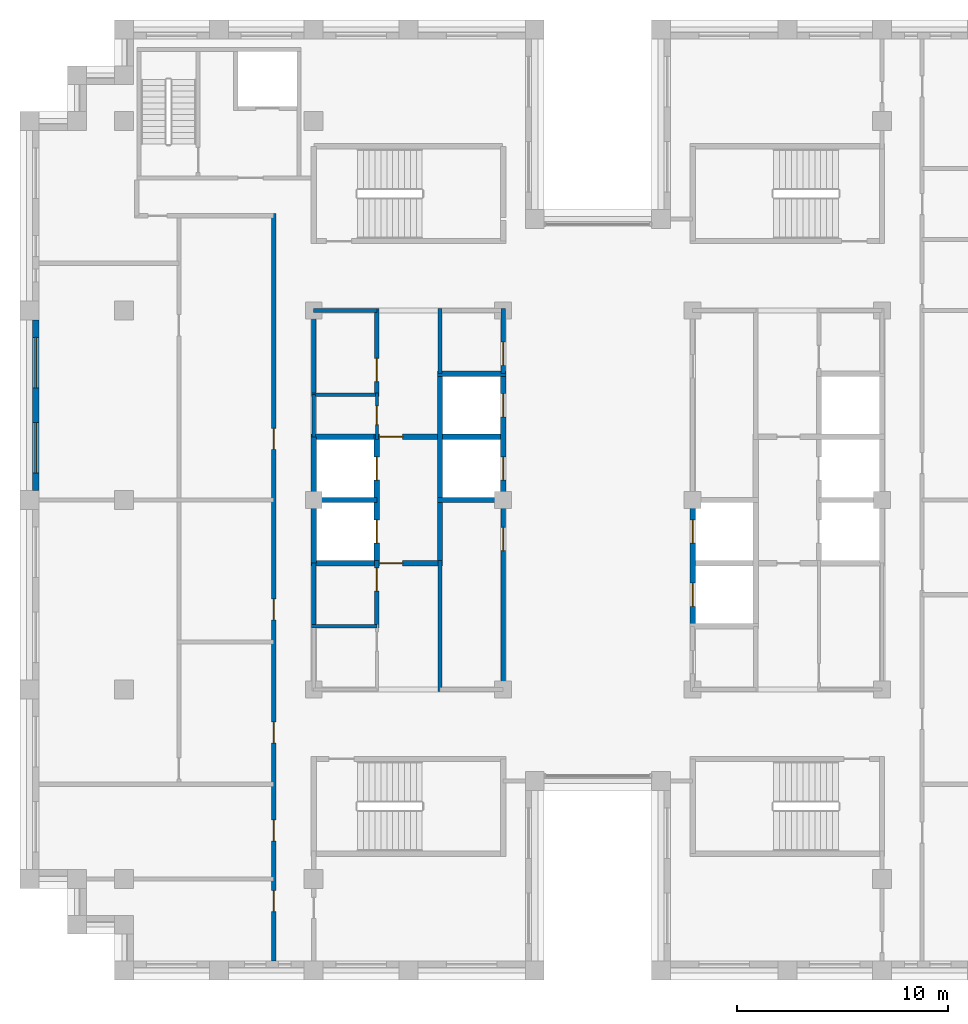
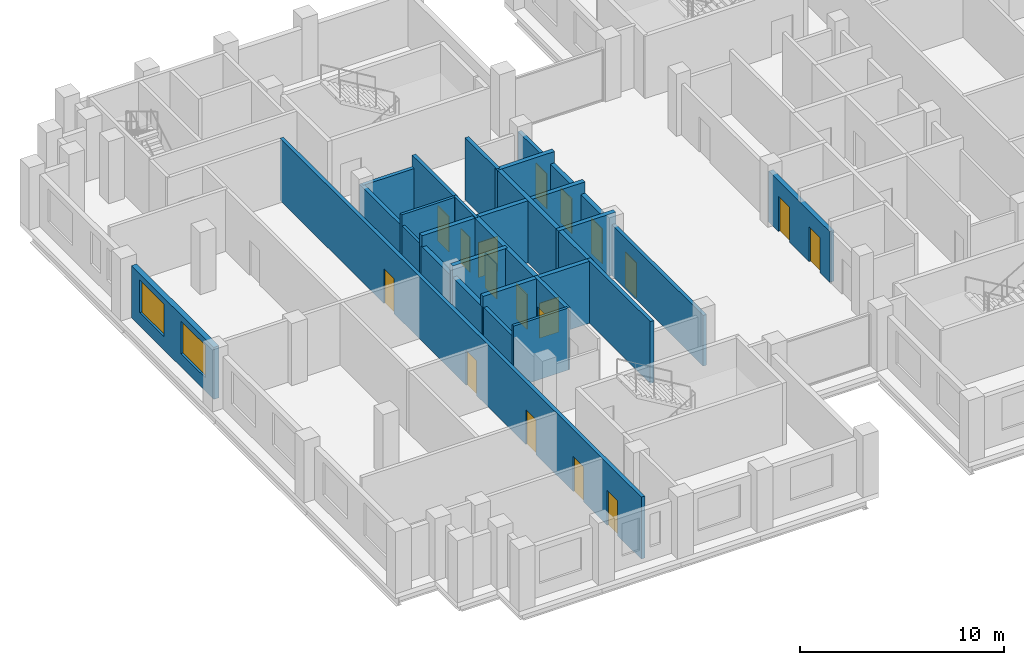
# One storey, part 7 of 13: 25 walls, 18 doors, 2 windows, 20 openings.
"""IFC4 building model written with IfcOpenShell, lengths in metres."""

import ifcopenshell
import ifcopenshell.guid

model = None  # the IFC model being written
_history = None  # IfcOwnerHistory: only IFC2X3 demands one
_inside = {}  # id of a spatial element -> (the spatial element, [elements in it])
_under = {}  # id of a project, library or spatial element -> (it, [spatial elements below it])
_declared = {}  # id of a project -> (the project, [libraries it declares])
_typed = {}  # id of a type object -> (the type object, [elements of that type])
_made_of = {}  # id of a material, layer set ... -> (it, [elements and type objects made of it])


def new_model(schema):
    """Start an empty IFC model of exactly this schema.

    Asked for "IFC4X3", IfcOpenShell would pick the latest addendum, in which some entities
    have other attributes; the version numbers below select the first issue.
    IFC2X3 requires an IfcOwnerHistory on every rooted entity: one is made here for all.
    """
    global model, _history
    if schema == "IFC4X3":
        model = ifcopenshell.file(schema_version=(4, 3, 0, 0))
    else:
        model = ifcopenshell.file(schema=schema)
    _inside.clear()
    _under.clear()
    _declared.clear()
    _typed.clear()
    _made_of.clear()
    _history = None
    if model.schema == "IFC2X3":
        org = make("IfcOrganization", Name="unknown")
        user = make(
            "IfcPersonAndOrganization",
            ThePerson=make("IfcPerson", FamilyName="unknown"),
            TheOrganization=org,
        )
        app = make(
            "IfcApplication",
            ApplicationDeveloper=org,
            Version="unknown",
            ApplicationFullName="unknown",
            ApplicationIdentifier="unknown",
        )
        _history = make(
            "IfcOwnerHistory",
            OwningUser=user,
            OwningApplication=app,
            ChangeAction="ADDED",
            CreationDate=0,
        )
    return model


def make(cls, **values):
    """One entity of the class cls with the attributes given. An attribute that is None is left unset."""
    return model.create_entity(
        cls, **{name: value for name, value in values.items() if value is not None}
    )


def rooted(cls, **values):
    """An entity with a GlobalId (a new one), such as an element, a storey or a relation."""
    return make(cls, GlobalId=ifcopenshell.guid.new(), OwnerHistory=_history, **values)


def si_unit(unit_type, name, prefix=None):
    """IfcSIUnit, for example si_unit("LENGTHUNIT", "METRE", prefix="MILLI")."""
    return make("IfcSIUnit", UnitType=unit_type, Prefix=prefix, Name=name)


def assignment(units):
    """IfcUnitAssignment: the units of a project."""
    return None if units is None else make("IfcUnitAssignment", Units=units)


def point(xyz):
    """IfcCartesianPoint."""
    return None if xyz is None else make("IfcCartesianPoint", Coordinates=xyz)


def direction(xyz):
    """IfcDirection."""
    return None if xyz is None else make("IfcDirection", DirectionRatios=xyz)


def frame(location, z_axis=None, x_axis=None):
    """IfcAxis2Placement3D, a coordinate frame: its origin and axes. An axis left out is left unset."""
    return make(
        "IfcAxis2Placement3D",
        Location=point(location),
        Axis=direction(z_axis),
        RefDirection=direction(x_axis),
    )


def frame_2d(location, x_axis=None):
    """IfcAxis2Placement2D, a coordinate frame in the plane: its origin and x axis."""
    return make(
        "IfcAxis2Placement2D", Location=point(location), RefDirection=direction(x_axis)
    )


def origin():
    """The frame at (0, 0, 0) with its axes left unset."""
    return frame((0.0, 0.0, 0.0))


def place(relative_to, where):
    """IfcLocalPlacement: puts the frame where relative to a parent placement (None: the world)."""
    return make(
        "IfcLocalPlacement", PlacementRelTo=relative_to, RelativePlacement=where
    )


def context(
    kind, dimensions, precision=None, world=None, true_north=None, identifier=None
):
    """IfcGeometricRepresentationContext, for example the 3D "Model" context."""
    return make(
        "IfcGeometricRepresentationContext",
        ContextIdentifier=identifier,
        ContextType=kind,
        CoordinateSpaceDimension=dimensions,
        Precision=precision,
        WorldCoordinateSystem=world,
        TrueNorth=true_north,
    )


def subcontext(parent, identifier, kind, view, scale=None):
    """IfcGeometricRepresentationSubContext, for example "Body" below "Model"."""
    return make(
        "IfcGeometricRepresentationSubContext",
        ContextIdentifier=identifier,
        ContextType=kind,
        ParentContext=parent,
        TargetScale=scale,
        TargetView=view,
    )


def project(units=None, contexts=None):
    """IfcProject with its units and contexts."""
    return rooted(
        "IfcProject",
        Name="project",
        RepresentationContexts=contexts,
        UnitsInContext=assignment(units),
    )


def spatial(cls, under=None, at=None, **own):
    """A site, building, storey or space (cls), placed at a placement, below another one or the project."""
    s = rooted(cls, ObjectPlacement=at, **own)
    if under is not None:
        _under.setdefault(under.id(), (under, []))[1].append(s)
    return s


def profile(cls, at=None, kind="AREA", **sizes):
    """A parametric profile (cls). Its sizes go by their IFC names, for example OverallWidth=200.0."""
    return make(cls, ProfileType=kind, Position=at, **sizes)


def rectangle(**sizes):
    """IfcRectangleProfileDef."""
    return profile("IfcRectangleProfileDef", **sizes)


def extrude(swept, where, along, depth):
    """IfcExtrudedAreaSolid: the profile swept, set in the frame where, extruded along a direction by depth."""
    return make(
        "IfcExtrudedAreaSolid",
        SweptArea=swept,
        Position=where,
        ExtrudedDirection=direction(along),
        Depth=depth,
    )


def shape(context_of_items, identifier, shape_type, items):
    """IfcShapeRepresentation: the items that make up one representation, for example the "Body"."""
    return make(
        "IfcShapeRepresentation",
        ContextOfItems=context_of_items,
        RepresentationIdentifier=identifier,
        RepresentationType=shape_type,
        Items=items,
    )


def material(Name=None, Category=None):
    """IfcMaterial."""
    return make("IfcMaterial", Name=Name, Category=Category)


def layer(
    of_material, thickness, ventilated=None, Name=None, Category=None, Priority=None
):
    """IfcMaterialLayer: one layer of a wall or slab, of a material (None: an air gap)."""
    return make(
        "IfcMaterialLayer",
        Material=of_material,
        LayerThickness=thickness,
        IsVentilated=ventilated,
        Name=Name,
        Category=Category,
        Priority=Priority,
    )


def layer_set(layers, Name=None):
    """IfcMaterialLayerSet."""
    return make("IfcMaterialLayerSet", MaterialLayers=layers, LayerSetName=Name)


def made_of(thing, what):
    """Note that an element or type object is made of a material, layer set ...; save() writes the relation."""
    if what is not None:
        _made_of.setdefault(what.id(), (what, []))[1].append(thing)
    return thing


def type_object(cls, material=None, **own):
    """A type object (cls), such as IfcWallType, which elements share."""
    return made_of(rooted(cls, **own), material)


def element(
    cls,
    number,
    at=None,
    inside=None,
    cuts=None,
    type_object=None,
    material=None,
    context=None,
    identifier="Body",
    shape_type=None,
    held_by="IfcProductDefinitionShape",
    body=None,
    shapes=None,
    **own,
):
    """One element of the class cls, such as IfcWall. Its Tag is "e" and its number.

    at: its placement. inside: the storey or other place that contains it. cuts: it is an
    opening in that element (IfcRelVoidsElement). A single representation is given by context,
    identifier, shape_type and body (its items); several are given by shapes. held_by: the class
    of the entity that holds the representations. save() writes the other relations.
    """
    e = rooted(cls, Tag="e%d" % number, ObjectPlacement=at, **own)
    if body is not None:
        shapes = [shape(context, identifier, shape_type, body)]
    if shapes is not None:
        e.Representation = make(held_by, Representations=shapes)
    if inside is not None:
        _inside.setdefault(inside.id(), (inside, []))[1].append(e)
    if cuts is not None:
        rooted(
            "IfcRelVoidsElement", RelatingBuildingElement=cuts, RelatedOpeningElement=e
        )
    if type_object is not None:
        _typed.setdefault(type_object.id(), (type_object, []))[1].append(e)
    return made_of(e, material)


def fill(opening, filler):
    """IfcRelFillsElement: the door or window that sits in an opening."""
    return rooted(
        "IfcRelFillsElement",
        RelatingOpeningElement=opening,
        RelatedBuildingElement=filler,
    )


def aggregate(whole, parts):
    """IfcRelAggregates: a whole, such as a stair, and the parts it consists of."""
    return rooted("IfcRelAggregates", RelatingObject=whole, RelatedObjects=parts)


def save(model, path):
    """Write the relations noted so far, then the file.

    IfcRelAggregates (storeys below a building ...), IfcRelContainedInSpatialStructure (elements
    in a storey), IfcRelDefinesByType, IfcRelAssociatesMaterial and IfcRelDeclares: one each for
    every whole, place, type object, material and project.
    """
    for whole, parts in _under.values():
        aggregate(whole, parts)
    for where, things in _inside.values():
        rooted(
            "IfcRelContainedInSpatialStructure",
            RelatedElements=things,
            RelatingStructure=where,
        )
    for kind, things in _typed.values():
        rooted("IfcRelDefinesByType", RelatedObjects=things, RelatingType=kind)
    for what, things in _made_of.values():
        rooted("IfcRelAssociatesMaterial", RelatedObjects=things, RelatingMaterial=what)
    for by, libraries in _declared.values():
        rooted("IfcRelDeclares", RelatingContext=by, RelatedDefinitions=libraries)
    model.write(path)


model = new_model("IFC4")

# Units and contexts
model_context = context("Model", 3, precision=1e-05, world=origin(), true_north=direction((0.0, 1.0)))
body_context = subcontext(model_context, "Body", "Model", "MODEL_VIEW")
ifc_project = project(units=[si_unit("LENGTHUNIT", "METRE"), si_unit("AREAUNIT", "SQUARE_METRE"), si_unit("VOLUMEUNIT", "CUBIC_METRE"), si_unit("PLANEANGLEUNIT", "RADIAN"), si_unit("MASSUNIT", "GRAM", prefix="KILO")], contexts=[model_context])

# Site, building, storey
site_placement = place(None, origin())
site = spatial("IfcSite", under=ifc_project, at=site_placement, CompositionType="ELEMENT")
building_placement = place(site_placement, origin())
building = spatial("IfcBuilding", under=site, at=building_placement, Name="Corbelhall Arena Tower", CompositionType="ELEMENT")
storey_placement = place(building_placement, frame((0.0, 0.0, 258.0)))
storey = spatial("IfcBuildingStorey", under=building, at=storey_placement, Name="L55", CompositionType="ELEMENT", Elevation=258.0)

# Wall, openings, windows
ifc_material_1 = material(Name="Precast concrete C40/50 with granite facing", Category="masonry")
ifc_layer_1 = layer(ifc_material_1, 0.300048828125)
ifc_layer_set_1 = layer_set([ifc_layer_1], Name="EV-IW1 Infill panel 300")
wall_type_1 = type_object("IfcWallType", Name="EV-IW1 Infill panel 300", PredefinedType="SOLIDWALL", material=ifc_layer_set_1)
wall_1_placement = place(storey_placement, frame((-26.699951171875, 8.550048828125, 0.0), z_axis=(0.0, 0.0, 1.0), x_axis=(0.0, -1.0, 0.0)))
wall_1 = element("IfcWall", 1, at=wall_1_placement, inside=storey, type_object=wall_type_1, Name="Infill panel IW1", PredefinedType="SOLIDWALL", context=body_context, shape_type="SweptSolid", body=[
    extrude(rectangle(XDim=8.10009765625, YDim=0.300048828125, at=frame_2d((4.050048828125, 0.0))), origin(), (0.0, 0.0, 1.0), 3.1201171875),
])
opening_1_placement = place(wall_1_placement, frame((0.824951171875, 0.0, 0.800048828125)))
opening_1 = element("IfcOpeningElement", 2, at=opening_1_placement, cuts=wall_1, Name="Opening WN1", PredefinedType="OPENING", context=body_context, shape_type="SweptSolid", body=[
    extrude(rectangle(XDim=2.39990234375, YDim=1.949951171875, at=frame_2d((1.199951171875, 0.97509765625))), frame((0.0, 0.14990234375, 0.0), z_axis=(0.0, -1.0, 0.0), x_axis=(1.0, 0.0, 0.0)), (0.0, 0.0, 1.0), 0.300048828125),
])
opening_2_placement = place(wall_1_placement, frame((4.875, 0.0, 0.800048828125)))
opening_2 = element("IfcOpeningElement", 3, at=opening_2_placement, cuts=wall_1, Name="Opening WN1", PredefinedType="OPENING", context=body_context, shape_type="SweptSolid", body=[
    extrude(rectangle(XDim=2.39990234375, YDim=1.949951171875, at=frame_2d((1.199951171875, 0.97509765625))), frame((0.0, 0.14990234375, 0.0), z_axis=(0.0, -1.0, 0.0), x_axis=(1.0, 0.0, 0.0)), (0.0, 0.0, 1.0), 0.300048828125),
])
ifc_material_2 = material(Name="Aluminium black anodised", Category="aluminium")
window_type = type_object("IfcWindowType", Name="EV-WN1 Office window", PartitioningType="SINGLE_PANEL", PredefinedType="WINDOW", material=ifc_material_2)
window_1_placement = place(opening_1_placement, origin())
window_1 = element("IfcWindow", 4, at=window_1_placement, inside=storey, type_object=window_type, Name="Window WN1", OverallHeight=1.949951171875, OverallWidth=2.39990234375, PartitioningType="SINGLE_PANEL", PredefinedType="WINDOW", context=body_context, shape_type="SweptSolid", body=[
    extrude(rectangle(XDim=2.39990234375, YDim=1.949951171875, at=frame_2d((1.199951171875, 0.97509765625))), frame((0.0, 0.030029296875, 0.0), z_axis=(0.0, -1.0, 0.0), x_axis=(1.0, 0.0, 0.0)), (0.0, 0.0, 1.0), 0.06005859375),
])
fill(opening_1, window_1)
window_2_placement = place(opening_2_placement, origin())
window_2 = element("IfcWindow", 5, at=window_2_placement, inside=storey, type_object=window_type, Name="Window WN1", OverallHeight=1.949951171875, OverallWidth=2.39990234375, PartitioningType="SINGLE_PANEL", PredefinedType="WINDOW", context=body_context, shape_type="SweptSolid", body=[
    extrude(rectangle(XDim=2.39990234375, YDim=1.949951171875, at=frame_2d((1.199951171875, 0.97509765625))), frame((0.0, 0.030029296875, 0.0), z_axis=(0.0, -1.0, 0.0), x_axis=(1.0, 0.0, 0.0)), (0.0, 0.0, 1.0), 0.06005859375),
])
fill(opening_2, window_2)

# Wall, openings, doors
ifc_material_3 = material(Name="Gypsum board on steel stud, acoustic", Category="steel")
ifc_layer_2 = layer(ifc_material_3, 0.199951171875)
ifc_layer_set_2 = layer_set([ifc_layer_2], Name="IN-W-DM200")
wall_type_2 = type_object("IfcWallType", Name="IN-W-DM200", PredefinedType="PARTITIONING", material=ifc_layer_set_2)
wall_2_placement = place(storey_placement, frame((-15.39990234375, -21.89990234375, 0.0), z_axis=(0.0, 0.0, 1.0), x_axis=(0.0, 1.0, 0.0)))
wall_2 = element("IfcWall", 6, at=wall_2_placement, inside=storey, type_object=wall_type_2, Name="Partition 009", PredefinedType="PARTITIONING", context=body_context, shape_type="SweptSolid", body=[
    extrude(rectangle(XDim=35.5, YDim=0.199951171875, at=frame_2d((17.75, 0.0))), origin(), (0.0, 0.0, 1.0), 3.719970703125),
])
opening_3_placement = place(wall_2_placement, frame((24.300048828125, 0.0, 0.0)))
opening_3 = element("IfcOpeningElement", 7, at=opening_3_placement, cuts=wall_2, Name="Opening 17022", PredefinedType="OPENING", context=body_context, shape_type="SweptSolid", body=[
    extrude(rectangle(XDim=1.0, YDim=2.10009765625, at=frame_2d((0.5, 1.050048828125))), frame((0.0, 0.10009765625, 0.0), z_axis=(0.0, -1.0, 0.0), x_axis=(1.0, 0.0, 0.0)), (0.0, 0.0, 1.0), 0.199951171875),
])
opening_4_placement = place(wall_2_placement, frame((2.35009765625, 0.0, 0.0)))
opening_4 = element("IfcOpeningElement", 8, at=opening_4_placement, cuts=wall_2, Name="Opening 17024", PredefinedType="OPENING", context=body_context, shape_type="SweptSolid", body=[
    extrude(rectangle(XDim=1.0, YDim=2.10009765625, at=frame_2d((0.5, 1.050048828125))), frame((0.0, 0.10009765625, 0.0), z_axis=(0.0, -1.0, 0.0), x_axis=(1.0, 0.0, 0.0)), (0.0, 0.0, 1.0), 0.199951171875),
])
opening_5_placement = place(wall_2_placement, frame((5.699951171875, 0.0, 0.0)))
opening_5 = element("IfcOpeningElement", 9, at=opening_5_placement, cuts=wall_2, Name="Opening 17025", PredefinedType="OPENING", context=body_context, shape_type="SweptSolid", body=[
    extrude(rectangle(XDim=1.0, YDim=2.10009765625, at=frame_2d((0.5, 1.050048828125))), frame((0.0, 0.10009765625, 0.0), z_axis=(0.0, -1.0, 0.0), x_axis=(1.0, 0.0, 0.0)), (0.0, 0.0, 1.0), 0.199951171875),
])
opening_6_placement = place(wall_2_placement, frame((10.35009765625, 0.0, 0.0)))
opening_6 = element("IfcOpeningElement", 10, at=opening_6_placement, cuts=wall_2, Name="Opening 17026", PredefinedType="OPENING", context=body_context, shape_type="SweptSolid", body=[
    extrude(rectangle(XDim=1.0, YDim=2.10009765625, at=frame_2d((0.5, 1.050048828125))), frame((0.0, 0.10009765625, 0.0), z_axis=(0.0, -1.0, 0.0), x_axis=(1.0, 0.0, 0.0)), (0.0, 0.0, 1.0), 0.199951171875),
])
opening_7_placement = place(wall_2_placement, frame((16.199951171875, 0.0, 0.0)))
opening_7 = element("IfcOpeningElement", 11, at=opening_7_placement, cuts=wall_2, Name="Opening 17027", PredefinedType="OPENING", context=body_context, shape_type="SweptSolid", body=[
    extrude(rectangle(XDim=1.0, YDim=2.10009765625, at=frame_2d((0.5, 1.050048828125))), frame((0.0, 0.10009765625, 0.0), z_axis=(0.0, -1.0, 0.0), x_axis=(1.0, 0.0, 0.0)), (0.0, 0.0, 1.0), 0.199951171875),
])
ifc_material_4 = material(Name="Steel door set", Category="steel")
door_type_1 = type_object("IfcDoorType", Name="IN-D-SW100", OperationType="NOTDEFINED", PredefinedType="DOOR", material=ifc_material_4)
door_1_placement = place(opening_3_placement, origin())
door_1 = element("IfcDoor", 12, at=door_1_placement, inside=storey, type_object=door_type_1, Name="Door 022", OperationType="SINGLE_SWING_LEFT", OverallHeight=2.10009765625, OverallWidth=1.0, PredefinedType="DOOR", context=body_context, shape_type="SweptSolid", body=[
    extrude(rectangle(XDim=1.0, YDim=2.10009765625, at=frame_2d((0.5, 1.050048828125))), frame((0.0, 0.02490234375, 0.0), z_axis=(0.0, -1.0, 0.0), x_axis=(1.0, 0.0, 0.0)), (0.0, 0.0, 1.0), 0.050048828125),
])
fill(opening_3, door_1)
door_2_placement = place(opening_4_placement, origin())
door_2 = element("IfcDoor", 13, at=door_2_placement, inside=storey, type_object=door_type_1, Name="Door 024", OperationType="SINGLE_SWING_LEFT", OverallHeight=2.10009765625, OverallWidth=1.0, PredefinedType="DOOR", context=body_context, shape_type="SweptSolid", body=[
    extrude(rectangle(XDim=1.0, YDim=2.10009765625, at=frame_2d((0.5, 1.050048828125))), frame((0.0, 0.02490234375, 0.0), z_axis=(0.0, -1.0, 0.0), x_axis=(1.0, 0.0, 0.0)), (0.0, 0.0, 1.0), 0.050048828125),
])
fill(opening_4, door_2)
door_3_placement = place(opening_5_placement, origin())
door_3 = element("IfcDoor", 14, at=door_3_placement, inside=storey, type_object=door_type_1, Name="Door 025", OperationType="SINGLE_SWING_RIGHT", OverallHeight=2.10009765625, OverallWidth=1.0, PredefinedType="DOOR", context=body_context, shape_type="SweptSolid", body=[
    extrude(rectangle(XDim=1.0, YDim=2.10009765625, at=frame_2d((0.5, 1.050048828125))), frame((0.0, 0.02490234375, 0.0), z_axis=(0.0, -1.0, 0.0), x_axis=(1.0, 0.0, 0.0)), (0.0, 0.0, 1.0), 0.050048828125),
])
fill(opening_5, door_3)
door_4_placement = place(opening_6_placement, origin())
door_4 = element("IfcDoor", 15, at=door_4_placement, inside=storey, type_object=door_type_1, Name="Door 026", OperationType="SINGLE_SWING_LEFT", OverallHeight=2.10009765625, OverallWidth=1.0, PredefinedType="DOOR", context=body_context, shape_type="SweptSolid", body=[
    extrude(rectangle(XDim=1.0, YDim=2.10009765625, at=frame_2d((0.5, 1.050048828125))), frame((0.0, 0.02490234375, 0.0), z_axis=(0.0, -1.0, 0.0), x_axis=(1.0, 0.0, 0.0)), (0.0, 0.0, 1.0), 0.050048828125),
])
fill(opening_6, door_4)
door_5_placement = place(opening_7_placement, origin())
door_5 = element("IfcDoor", 16, at=door_5_placement, inside=storey, type_object=door_type_1, Name="Door 027", OperationType="SINGLE_SWING_RIGHT", OverallHeight=2.10009765625, OverallWidth=1.0, PredefinedType="DOOR", context=body_context, shape_type="SweptSolid", body=[
    extrude(rectangle(XDim=1.0, YDim=2.10009765625, at=frame_2d((0.5, 1.050048828125))), frame((0.0, 0.02490234375, 0.0), z_axis=(0.0, -1.0, 0.0), x_axis=(1.0, 0.0, 0.0)), (0.0, 0.0, 1.0), 0.050048828125),
])
fill(opening_7, door_5)

# Wall, opening, door
ifc_material_5 = material(Name="Concrete block wall", Category="concrete")
ifc_layer_3 = layer(ifc_material_5, 0.199951171875)
ifc_layer_set_3 = layer_set([ifc_layer_3], Name="IN-W-RS200")
wall_type_3 = type_object("IfcWallType", Name="IN-W-RS200", PredefinedType="SOLIDWALL", material=ifc_layer_set_3)
wall_3_placement = place(storey_placement, frame((-10.5, -6.074951171875, 0.0), z_axis=(0.0, 0.0, 1.0), x_axis=(0.0, 1.0, 0.0)))
wall_3 = element("IfcWall", 17, at=wall_3_placement, inside=storey, type_object=wall_type_3, Name="Partition 028", PredefinedType="SOLIDWALL", context=body_context, shape_type="SweptSolid", body=[
    extrude(rectangle(XDim=3.199951171875, YDim=0.199951171875, at=frame_2d((1.60009765625, 0.0))), origin(), (0.0, 0.0, 1.0), 3.719970703125),
])
opening_8_placement = place(wall_3_placement, frame((1.75, 0.0, 0.0)))
opening_8 = element("IfcOpeningElement", 18, at=opening_8_placement, cuts=wall_3, Name="Opening 17006", PredefinedType="OPENING", context=body_context, shape_type="SweptSolid", body=[
    extrude(rectangle(XDim=1.10009765625, YDim=2.10009765625, at=frame_2d((0.550048828125, 1.050048828125))), frame((0.0, 0.10009765625, 0.0), z_axis=(0.0, -1.0, 0.0), x_axis=(1.0, 0.0, 0.0)), (0.0, 0.0, 1.0), 0.199951171875),
])
door_type_2 = type_object("IfcDoorType", Name="IN-D-FD110", OperationType="NOTDEFINED", PredefinedType="DOOR", material=ifc_material_4)
door_6_placement = place(opening_8_placement, origin())
door_6 = element("IfcDoor", 19, at=door_6_placement, inside=storey, type_object=door_type_2, Name="Door 006", OperationType="SINGLE_SWING_LEFT", OverallHeight=2.10009765625, OverallWidth=1.10009765625, PredefinedType="DOOR", context=body_context, shape_type="SweptSolid", body=[
    extrude(rectangle(XDim=1.10009765625, YDim=2.10009765625, at=frame_2d((0.550048828125, 1.050048828125))), frame((0.0, 0.02490234375, 0.0), z_axis=(0.0, -1.0, 0.0), x_axis=(1.0, 0.0, 0.0)), (0.0, 0.0, 1.0), 0.050048828125),
])
fill(opening_8, door_6)

wall_4_placement = place(storey_placement, frame((-10.5, 4.925048828125, 0.0), z_axis=(0.0, 0.0, 1.0), x_axis=(0.0, 1.0, 0.0)))
wall_4 = element("IfcWall", 20, at=wall_4_placement, inside=storey, type_object=wall_type_3, Name="Partition 029", PredefinedType="SOLIDWALL", context=body_context, shape_type="SweptSolid", body=[
    extrude(rectangle(XDim=4.175048828125, YDim=0.199951171875, at=frame_2d((2.08740234375, 0.0))), origin(), (0.0, 0.0, 1.0), 3.719970703125),
])
opening_9_placement = place(wall_4_placement, frame((0.699951171875, 0.0, 0.0)))
opening_9 = element("IfcOpeningElement", 21, at=opening_9_placement, cuts=wall_4, Name="Opening 17008", PredefinedType="OPENING", context=body_context, shape_type="SweptSolid", body=[
    extrude(rectangle(XDim=1.10009765625, YDim=2.10009765625, at=frame_2d((0.550048828125, 1.050048828125))), frame((0.0, 0.10009765625, 0.0), z_axis=(0.0, -1.0, 0.0), x_axis=(1.0, 0.0, 0.0)), (0.0, 0.0, 1.0), 0.199951171875),
])
door_7_placement = place(opening_9_placement, origin())
door_7 = element("IfcDoor", 22, at=door_7_placement, inside=storey, type_object=door_type_2, Name="Door 008", OperationType="SINGLE_SWING_LEFT", OverallHeight=2.10009765625, OverallWidth=1.10009765625, PredefinedType="DOOR", context=body_context, shape_type="SweptSolid", body=[
    extrude(rectangle(XDim=1.10009765625, YDim=2.10009765625, at=frame_2d((0.550048828125, 1.050048828125))), frame((0.0, 0.02490234375, 0.0), z_axis=(0.0, -1.0, 0.0), x_axis=(1.0, 0.0, 0.0)), (0.0, 0.0, 1.0), 0.050048828125),
])
fill(opening_9, door_7)

# Walls
wall_5_placement = place(storey_placement, frame((-7.5, -9.10009765625, 0.0), z_axis=(0.0, 0.0, 1.0), x_axis=(0.0, 1.0, 0.0)))
element("IfcWall", 23, at=wall_5_placement, inside=storey, type_object=wall_type_3, Name="Partition 030", PredefinedType="SOLIDWALL", context=body_context, shape_type="SweptSolid", body=[
    extrude(rectangle(XDim=6.22509765625, YDim=0.199951171875, at=frame_2d((3.112548828125, 0.0))), origin(), (0.0, 0.0, 1.0), 3.719970703125),
])
wall_6_placement = place(storey_placement, frame((-7.5, 6.0, 0.0), z_axis=(0.0, 0.0, 1.0), x_axis=(0.0, 1.0, 0.0)))
element("IfcWall", 24, at=wall_6_placement, inside=storey, type_object=wall_type_3, Name="Partition 031", PredefinedType="SOLIDWALL", context=body_context, shape_type="SweptSolid", body=[
    extrude(rectangle(XDim=3.10009765625, YDim=0.199951171875, at=frame_2d((1.550048828125, 0.0))), origin(), (0.0, 0.0, 1.0), 3.719970703125),
])
ifc_layer_4 = layer(ifc_material_5, 0.199951171875)
ifc_layer_set_4 = layer_set([ifc_layer_4], Name="IN-W-RS200 under beam 678 mm")
wall_type_4 = type_object("IfcWallType", Name="IN-W-RS200 under beam 678 mm", PredefinedType="SOLIDWALL", material=ifc_layer_set_4)
wall_7_placement = place(storey_placement, frame((-13.5, -6.0, 0.0), z_axis=(0.0, 0.0, 1.0), x_axis=(0.0, 1.0, 0.0)))
element("IfcWall", 25, at=wall_7_placement, inside=storey, type_object=wall_type_4, Name="Partition 025", PredefinedType="SOLIDWALL", context=body_context, shape_type="SweptSolid", body=[
    extrude(rectangle(XDim=3.0, YDim=0.199951171875, at=frame_2d((1.5, 0.0))), origin(), (0.0, 0.0, 1.0), 3.041748046875),
])
wall_8_placement = place(storey_placement, frame((-13.5, 5.0, 0.0), z_axis=(0.0, 0.0, 1.0), x_axis=(0.0, 1.0, 0.0)))
element("IfcWall", 26, at=wall_8_placement, inside=storey, type_object=wall_type_4, Name="Partition 026", PredefinedType="SOLIDWALL", context=body_context, shape_type="SweptSolid", body=[
    extrude(rectangle(XDim=4.10009765625, YDim=0.199951171875, at=frame_2d((2.050048828125, 0.0))), origin(), (0.0, 0.0, 1.0), 3.041748046875),
])
wall_9_placement = place(storey_placement, frame((-13.5, 9.0, 0.0), z_axis=(0.0, 0.0, 1.0), x_axis=(1.0, 0.0, 0.0)))
element("IfcWall", 27, at=wall_9_placement, inside=storey, type_object=wall_type_4, Name="Partition 027", PredefinedType="SOLIDWALL", context=body_context, shape_type="SweptSolid", body=[
    extrude(rectangle(XDim=3.0, YDim=0.199951171875, at=frame_2d((1.5, 0.0))), origin(), (0.0, 0.0, 1.0), 3.041748046875),
])

# Wall, opening, door
wall_10_placement = place(storey_placement, frame((-4.5, 0.0, 0.0), z_axis=(0.0, 0.0, 1.0), x_axis=(0.0, -1.0, 0.0)))
wall_10 = element("IfcWall", 28, at=wall_10_placement, inside=storey, type_object=wall_type_4, Name="Partition 034", PredefinedType="SOLIDWALL", context=body_context, shape_type="SweptSolid", body=[
    extrude(rectangle(XDim=9.10009765625, YDim=0.199951171875, at=frame_2d((4.550048828125, 0.0))), origin(), (0.0, 0.0, 1.0), 3.041748046875),
])
opening_10_placement = place(wall_10_placement, frame((1.300048828125, 0.0, 0.0)))
opening_10 = element("IfcOpeningElement", 29, at=opening_10_placement, cuts=wall_10, Name="Opening 17001", PredefinedType="OPENING", context=body_context, shape_type="SweptSolid", body=[
    extrude(rectangle(XDim=1.10009765625, YDim=2.10009765625, at=frame_2d((0.550048828125, 1.050048828125))), frame((0.0, 0.10009765625, 0.0), z_axis=(0.0, -1.0, 0.0), x_axis=(1.0, 0.0, 0.0)), (0.0, 0.0, 1.0), 0.199951171875),
])
door_8_placement = place(opening_10_placement, origin())
door_8 = element("IfcDoor", 30, at=door_8_placement, inside=storey, type_object=door_type_2, Name="Door 001", OperationType="SINGLE_SWING_RIGHT", OverallHeight=2.10009765625, OverallWidth=1.10009765625, PredefinedType="DOOR", context=body_context, shape_type="SweptSolid", body=[
    extrude(rectangle(XDim=1.10009765625, YDim=2.10009765625, at=frame_2d((0.550048828125, 1.050048828125))), frame((0.0, 0.02490234375, 0.0), z_axis=(0.0, -1.0, 0.0), x_axis=(1.0, 0.0, 0.0)), (0.0, 0.0, 1.0), 0.050048828125),
])
fill(opening_10, door_8)

wall_11_placement = place(storey_placement, frame((-4.5, 9.10009765625, 0.0), z_axis=(0.0, 0.0, 1.0), x_axis=(0.0, -1.0, 0.0)))
wall_11 = element("IfcWall", 31, at=wall_11_placement, inside=storey, type_object=wall_type_4, Name="Partition 035", PredefinedType="SOLIDWALL", context=body_context, shape_type="SweptSolid", body=[
    extrude(rectangle(XDim=3.10009765625, YDim=0.199951171875, at=frame_2d((1.550048828125, 0.0))), origin(), (0.0, 0.0, 1.0), 3.041748046875),
])
opening_11_placement = place(wall_11_placement, frame((1.60009765625, 0.0, 0.0)))
opening_11 = element("IfcOpeningElement", 32, at=opening_11_placement, cuts=wall_11, Name="Opening 17002", PredefinedType="OPENING", context=body_context, shape_type="SweptSolid", body=[
    extrude(rectangle(XDim=1.10009765625, YDim=2.10009765625, at=frame_2d((0.550048828125, 1.050048828125))), frame((0.0, 0.10009765625, 0.0), z_axis=(0.0, -1.0, 0.0), x_axis=(1.0, 0.0, 0.0)), (0.0, 0.0, 1.0), 0.199951171875),
])
door_9_placement = place(opening_11_placement, origin())
door_9 = element("IfcDoor", 33, at=door_9_placement, inside=storey, type_object=door_type_2, Name="Door 002", OperationType="SINGLE_SWING_LEFT", OverallHeight=2.10009765625, OverallWidth=1.10009765625, PredefinedType="DOOR", context=body_context, shape_type="SweptSolid", body=[
    extrude(rectangle(XDim=1.10009765625, YDim=2.10009765625, at=frame_2d((0.550048828125, 1.050048828125))), frame((0.0, 0.02490234375, 0.0), z_axis=(0.0, -1.0, 0.0), x_axis=(1.0, 0.0, 0.0)), (0.0, 0.0, 1.0), 0.050048828125),
])
fill(opening_11, door_9)

# Wall
ifc_material_6 = material(Name="Concrete C40/50", Category="concrete")
ifc_layer_5 = layer(ifc_material_6, 0.25)
ifc_layer_set_5 = layer_set([ifc_layer_5], Name="IN-W-SH250")
wall_type_5 = type_object("IfcWallType", Name="IN-W-SH250", PredefinedType="SOLIDWALL", material=ifc_layer_set_5)
wall_12_placement = place(storey_placement, frame((-13.625, 0.0, 0.0), z_axis=(0.0, 0.0, 1.0), x_axis=(1.0, 0.0, 0.0)))
element("IfcWall", 34, at=wall_12_placement, inside=storey, type_object=wall_type_5, Name="Shaft wall 045", PredefinedType="SOLIDWALL", context=body_context, shape_type="SweptSolid", body=[
    extrude(rectangle(XDim=3.125, YDim=0.25, at=frame_2d((1.5625, 0.0))), origin(), (0.0, 0.0, 1.0), 3.719970703125),
])

# Wall, opening, door
wall_13_placement = place(storey_placement, frame((-13.625, 3.0, 0.0), z_axis=(0.0, 0.0, 1.0), x_axis=(1.0, 0.0, 0.0)))
wall_13 = element("IfcWall", 35, at=wall_13_placement, inside=storey, type_object=wall_type_5, Name="Shaft wall 046", PredefinedType="SOLIDWALL", context=body_context, shape_type="SweptSolid", body=[
    extrude(rectangle(XDim=9.25, YDim=0.25, at=frame_2d((4.625, 0.0))), origin(), (0.0, 0.0, 1.0), 3.719970703125),
])
opening_12_placement = place(wall_13_placement, frame((3.25, 0.0, 0.0)))
opening_12 = element("IfcOpeningElement", 36, at=opening_12_placement, cuts=wall_13, Name="Opening 17004", PredefinedType="OPENING", context=body_context, shape_type="SweptSolid", body=[
    extrude(rectangle(XDim=1.10009765625, YDim=2.10009765625, at=frame_2d((0.550048828125, 1.050048828125))), frame((0.0, 0.125, 0.0), z_axis=(0.0, -1.0, 0.0), x_axis=(1.0, 0.0, 0.0)), (0.0, 0.0, 1.0), 0.25),
])
door_10_placement = place(opening_12_placement, origin())
door_10 = element("IfcDoor", 37, at=door_10_placement, inside=storey, type_object=door_type_2, Name="Door 004", OperationType="SINGLE_SWING_LEFT", OverallHeight=2.10009765625, OverallWidth=1.10009765625, PredefinedType="DOOR", context=body_context, shape_type="SweptSolid", body=[
    extrude(rectangle(XDim=1.10009765625, YDim=2.10009765625, at=frame_2d((0.550048828125, 1.050048828125))), frame((0.0, 0.02490234375, 0.0), z_axis=(0.0, -1.0, 0.0), x_axis=(1.0, 0.0, 0.0)), (0.0, 0.0, 1.0), 0.050048828125),
])
fill(opening_12, door_10)

wall_14_placement = place(storey_placement, frame((-13.625, -3.0, 0.0), z_axis=(0.0, 0.0, 1.0), x_axis=(1.0, 0.0, 0.0)))
wall_14 = element("IfcWall", 38, at=wall_14_placement, inside=storey, type_object=wall_type_5, Name="Shaft wall 048", PredefinedType="SOLIDWALL", context=body_context, shape_type="SweptSolid", body=[
    extrude(rectangle(XDim=6.125, YDim=0.25, at=frame_2d((3.0625, 0.0))), origin(), (0.0, 0.0, 1.0), 3.719970703125),
])
opening_13_placement = place(wall_14_placement, frame((3.25, 0.0, 0.0)))
opening_13 = element("IfcOpeningElement", 39, at=opening_13_placement, cuts=wall_14, Name="Opening 17003", PredefinedType="OPENING", context=body_context, shape_type="SweptSolid", body=[
    extrude(rectangle(XDim=1.10009765625, YDim=2.10009765625, at=frame_2d((0.550048828125, 1.050048828125))), frame((0.0, 0.125, 0.0), z_axis=(0.0, -1.0, 0.0), x_axis=(1.0, 0.0, 0.0)), (0.0, 0.0, 1.0), 0.25),
])
door_11_placement = place(opening_13_placement, origin())
door_11 = element("IfcDoor", 40, at=door_11_placement, inside=storey, type_object=door_type_2, Name="Door 003", OperationType="SINGLE_SWING_RIGHT", OverallHeight=2.10009765625, OverallWidth=1.10009765625, PredefinedType="DOOR", context=body_context, shape_type="SweptSolid", body=[
    extrude(rectangle(XDim=1.10009765625, YDim=2.10009765625, at=frame_2d((0.550048828125, 1.050048828125))), frame((0.0, 0.02490234375, 0.0), z_axis=(0.0, -1.0, 0.0), x_axis=(1.0, 0.0, 0.0)), (0.0, 0.0, 1.0), 0.050048828125),
])
fill(opening_13, door_11)

# Wall, openings, doors
wall_15_placement = place(storey_placement, frame((-10.5, -3.125, 0.0), z_axis=(0.0, 0.0, 1.0), x_axis=(0.0, 1.0, 0.0)))
wall_15 = element("IfcWall", 41, at=wall_15_placement, inside=storey, type_object=wall_type_5, Name="Shaft wall 049", PredefinedType="SOLIDWALL", context=body_context, shape_type="SweptSolid", body=[
    extrude(rectangle(XDim=6.25, YDim=0.25, at=frame_2d((3.125, 0.0))), origin(), (0.0, 0.0, 1.0), 3.719970703125),
])
opening_14_placement = place(wall_15_placement, frame((1.074951171875, 0.0, 0.0)))
opening_14 = element("IfcOpeningElement", 42, at=opening_14_placement, cuts=wall_15, Name="Opening LD", PredefinedType="OPENING", context=body_context, shape_type="SweptSolid", body=[
    extrude(rectangle(XDim=1.10009765625, YDim=2.10009765625, at=frame_2d((0.550048828125, 1.050048828125))), frame((0.0, 0.125, 0.0), z_axis=(0.0, -1.0, 0.0), x_axis=(1.0, 0.0, 0.0)), (0.0, 0.0, 1.0), 0.25),
])
opening_15_placement = place(wall_15_placement, frame((4.074951171875, 0.0, 0.0)))
opening_15 = element("IfcOpeningElement", 43, at=opening_15_placement, cuts=wall_15, Name="Opening LD", PredefinedType="OPENING", context=body_context, shape_type="SweptSolid", body=[
    extrude(rectangle(XDim=1.10009765625, YDim=2.10009765625, at=frame_2d((0.550048828125, 1.050048828125))), frame((0.0, 0.125, 0.0), z_axis=(0.0, -1.0, 0.0), x_axis=(1.0, 0.0, 0.0)), (0.0, 0.0, 1.0), 0.25),
])
door_type_3 = type_object("IfcDoorType", Name="IN-D-LD110", OperationType="NOTDEFINED", PredefinedType="DOOR", material=ifc_material_4)
door_12_placement = place(opening_14_placement, origin())
door_12 = element("IfcDoor", 44, at=door_12_placement, inside=storey, type_object=door_type_3, Name="Landing door W3", OperationType="SLIDING_TO_LEFT", OverallHeight=2.10009765625, OverallWidth=1.10009765625, PredefinedType="DOOR", context=body_context, shape_type="SweptSolid", body=[
    extrude(rectangle(XDim=1.10009765625, YDim=2.10009765625, at=frame_2d((0.550048828125, 1.050048828125))), frame((0.0, 0.02490234375, 0.0), z_axis=(0.0, -1.0, 0.0), x_axis=(1.0, 0.0, 0.0)), (0.0, 0.0, 1.0), 0.050048828125),
])
fill(opening_14, door_12)
door_13_placement = place(opening_15_placement, origin())
door_13 = element("IfcDoor", 45, at=door_13_placement, inside=storey, type_object=door_type_3, Name="Landing door W4", OperationType="SLIDING_TO_LEFT", OverallHeight=2.10009765625, OverallWidth=1.10009765625, PredefinedType="DOOR", context=body_context, shape_type="SweptSolid", body=[
    extrude(rectangle(XDim=1.10009765625, YDim=2.10009765625, at=frame_2d((0.550048828125, 1.050048828125))), frame((0.0, 0.02490234375, 0.0), z_axis=(0.0, -1.0, 0.0), x_axis=(1.0, 0.0, 0.0)), (0.0, 0.0, 1.0), 0.050048828125),
])
fill(opening_15, door_13)

# Walls
for number, where, z_axis, x_axis, name in (
    (46, (-7.625, 0.0, 0.0), (0.0, 0.0, 1.0), (1.0, 0.0, 0.0), "Shaft wall 050"),
    (47, (-7.625, 6.0, 0.0), (0.0, 0.0, 1.0), (1.0, 0.0, 0.0), "Shaft wall 051"),
):
    element("IfcWall", number, at=place(storey_placement, frame(where, z_axis=z_axis, x_axis=x_axis)), inside=storey, type_object=wall_type_5, Name=name, PredefinedType="SOLIDWALL", context=body_context, shape_type="SweptSolid", body=[
        extrude(rectangle(XDim=3.25, YDim=0.25, at=frame_2d((1.625, 0.0))), origin(), (0.0, 0.0, 1.0), 3.719970703125),
    ])
wall_16_placement = place(storey_placement, frame((-7.5, -3.125, 0.0), z_axis=(0.0, 0.0, 1.0), x_axis=(0.0, 1.0, 0.0)))
element("IfcWall", 48, at=wall_16_placement, inside=storey, type_object=wall_type_5, Name="Shaft wall 052", PredefinedType="SOLIDWALL", context=body_context, shape_type="SweptSolid", body=[
    extrude(rectangle(XDim=9.125, YDim=0.25, at=frame_2d((4.5625, 0.0))), origin(), (0.0, 0.0, 1.0), 3.719970703125),
])
ifc_layer_6 = layer(ifc_material_6, 0.25)
ifc_layer_set_6 = layer_set([ifc_layer_6], Name="IN-W-SH250 under beam 678 mm")
wall_type_6 = type_object("IfcWallType", Name="IN-W-SH250 under beam 678 mm", PredefinedType="SOLIDWALL", material=ifc_layer_set_6)
wall_17_placement = place(storey_placement, frame((-13.5, -3.0, 0.0), z_axis=(0.0, 0.0, 1.0), x_axis=(0.0, 1.0, 0.0)))
element("IfcWall", 49, at=wall_17_placement, inside=storey, type_object=wall_type_6, Name="Shaft wall 047", PredefinedType="SOLIDWALL", context=body_context, shape_type="SweptSolid", body=[
    extrude(rectangle(XDim=6.0, YDim=0.25, at=frame_2d((3.0, 0.0))), origin(), (0.0, 0.0, 1.0), 3.041748046875),
])

# Wall, openings, doors
wall_18_placement = place(storey_placement, frame((-4.5, 6.0, 0.0), z_axis=(0.0, 0.0, 1.0), x_axis=(0.0, -1.0, 0.0)))
wall_18 = element("IfcWall", 50, at=wall_18_placement, inside=storey, type_object=wall_type_6, Name="Shaft wall 053", PredefinedType="SOLIDWALL", context=body_context, shape_type="SweptSolid", body=[
    extrude(rectangle(XDim=6.0, YDim=0.25, at=frame_2d((3.0, 0.0))), origin(), (0.0, 0.0, 1.0), 3.041748046875),
])
opening_16_placement = place(wall_18_placement, frame((3.949951171875, 0.0, 0.0)))
opening_16 = element("IfcOpeningElement", 51, at=opening_16_placement, cuts=wall_18, Name="Opening LD", PredefinedType="OPENING", context=body_context, shape_type="SweptSolid", body=[
    extrude(rectangle(XDim=1.10009765625, YDim=2.10009765625, at=frame_2d((0.550048828125, 1.050048828125))), frame((0.0, 0.125, 0.0), z_axis=(0.0, -1.0, 0.0), x_axis=(1.0, 0.0, 0.0)), (0.0, 0.0, 1.0), 0.25),
])
opening_17_placement = place(wall_18_placement, frame((0.949951171875, 0.0, 0.0)))
opening_17 = element("IfcOpeningElement", 52, at=opening_17_placement, cuts=wall_18, Name="Opening LD", PredefinedType="OPENING", context=body_context, shape_type="SweptSolid", body=[
    extrude(rectangle(XDim=1.10009765625, YDim=2.10009765625, at=frame_2d((0.550048828125, 1.050048828125))), frame((0.0, 0.125, 0.0), z_axis=(0.0, -1.0, 0.0), x_axis=(1.0, 0.0, 0.0)), (0.0, 0.0, 1.0), 0.25),
])
door_14_placement = place(opening_16_placement, origin())
door_14 = element("IfcDoor", 53, at=door_14_placement, inside=storey, type_object=door_type_3, Name="Landing door W4", OperationType="SLIDING_TO_LEFT", OverallHeight=2.10009765625, OverallWidth=1.10009765625, PredefinedType="DOOR", context=body_context, shape_type="SweptSolid", body=[
    extrude(rectangle(XDim=1.10009765625, YDim=2.10009765625, at=frame_2d((0.550048828125, 1.050048828125))), frame((0.0, 0.02490234375, 0.0), z_axis=(0.0, -1.0, 0.0), x_axis=(1.0, 0.0, 0.0)), (0.0, 0.0, 1.0), 0.050048828125),
])
fill(opening_16, door_14)
door_15_placement = place(opening_17_placement, origin())
door_15 = element("IfcDoor", 54, at=door_15_placement, inside=storey, type_object=door_type_3, Name="Landing door W5", OperationType="SLIDING_TO_LEFT", OverallHeight=2.10009765625, OverallWidth=1.10009765625, PredefinedType="DOOR", context=body_context, shape_type="SweptSolid", body=[
    extrude(rectangle(XDim=1.10009765625, YDim=2.10009765625, at=frame_2d((0.550048828125, 1.050048828125))), frame((0.0, 0.02490234375, 0.0), z_axis=(0.0, -1.0, 0.0), x_axis=(1.0, 0.0, 0.0)), (0.0, 0.0, 1.0), 0.050048828125),
])
fill(opening_17, door_15)

wall_19_placement = place(storey_placement, frame((4.5, -6.0, 0.0), z_axis=(0.0, 0.0, 1.0), x_axis=(0.0, 1.0, 0.0)))
wall_19 = element("IfcWall", 55, at=wall_19_placement, inside=storey, type_object=wall_type_6, Name="Shaft wall 057", PredefinedType="SOLIDWALL", context=body_context, shape_type="SweptSolid", body=[
    extrude(rectangle(XDim=6.0, YDim=0.25, at=frame_2d((3.0, 0.0))), origin(), (0.0, 0.0, 1.0), 3.041748046875),
])
opening_18_placement = place(wall_19_placement, frame((0.949951171875, 0.0, 0.0)))
opening_18 = element("IfcOpeningElement", 56, at=opening_18_placement, cuts=wall_19, Name="Opening LD", PredefinedType="OPENING", context=body_context, shape_type="SweptSolid", body=[
    extrude(rectangle(XDim=1.10009765625, YDim=2.10009765625, at=frame_2d((0.550048828125, 1.050048828125))), frame((0.0, 0.125, 0.0), z_axis=(0.0, -1.0, 0.0), x_axis=(1.0, 0.0, 0.0)), (0.0, 0.0, 1.0), 0.25),
])
opening_19_placement = place(wall_19_placement, frame((3.949951171875, 0.0, 0.0)))
opening_19 = element("IfcOpeningElement", 57, at=opening_19_placement, cuts=wall_19, Name="Opening LD", PredefinedType="OPENING", context=body_context, shape_type="SweptSolid", body=[
    extrude(rectangle(XDim=1.10009765625, YDim=2.10009765625, at=frame_2d((0.550048828125, 1.050048828125))), frame((0.0, 0.125, 0.0), z_axis=(0.0, -1.0, 0.0), x_axis=(1.0, 0.0, 0.0)), (0.0, 0.0, 1.0), 0.25),
])
door_16_placement = place(opening_18_placement, origin())
door_16 = element("IfcDoor", 58, at=door_16_placement, inside=storey, type_object=door_type_3, Name="Landing door E2", OperationType="SLIDING_TO_LEFT", OverallHeight=2.10009765625, OverallWidth=1.10009765625, PredefinedType="DOOR", context=body_context, shape_type="SweptSolid", body=[
    extrude(rectangle(XDim=1.10009765625, YDim=2.10009765625, at=frame_2d((0.550048828125, 1.050048828125))), frame((0.0, 0.02490234375, 0.0), z_axis=(0.0, -1.0, 0.0), x_axis=(1.0, 0.0, 0.0)), (0.0, 0.0, 1.0), 0.050048828125),
])
fill(opening_18, door_16)
door_17_placement = place(opening_19_placement, origin())
door_17 = element("IfcDoor", 59, at=door_17_placement, inside=storey, type_object=door_type_3, Name="Landing door E3", OperationType="SLIDING_TO_LEFT", OverallHeight=2.10009765625, OverallWidth=1.10009765625, PredefinedType="DOOR", context=body_context, shape_type="SweptSolid", body=[
    extrude(rectangle(XDim=1.10009765625, YDim=2.10009765625, at=frame_2d((0.550048828125, 1.050048828125))), frame((0.0, 0.02490234375, 0.0), z_axis=(0.0, -1.0, 0.0), x_axis=(1.0, 0.0, 0.0)), (0.0, 0.0, 1.0), 0.050048828125),
])
fill(opening_19, door_17)

# Walls
ifc_material_7 = material(Name="Gypsum board on steel stud, moisture resistant", Category="steel")
ifc_layer_7 = layer(ifc_material_7, 0.14990234375)
ifc_layer_set_7 = layer_set([ifc_layer_7], Name="IN-W-WC150")
wall_type_7 = type_object("IfcWallType", Name="IN-W-WC150", PredefinedType="PARTITIONING", material=ifc_layer_set_7)
for number, where, z_axis, x_axis, name in (
    (60, (-13.60009765625, -6.0, 0.0), (0.0, 0.0, 1.0), (1.0, 0.0, 0.0), "Partition 081"),
    (61, (-13.60009765625, 5.0, 0.0), (0.0, 0.0, 1.0), (1.0, 0.0, 0.0), "Partition 082"),
):
    element("IfcWall", number, at=place(storey_placement, frame(where, z_axis=z_axis, x_axis=x_axis)), inside=storey, type_object=wall_type_7, Name=name, PredefinedType="PARTITIONING", context=body_context, shape_type="SweptSolid", body=[
        extrude(rectangle(XDim=3.10009765625, YDim=0.14990234375, at=frame_2d((1.550048828125, 0.0))), origin(), (0.0, 0.0, 1.0), 3.719970703125),
    ])

# Wall, opening, door
wall_20_placement = place(storey_placement, frame((-10.5, 2.875, 0.0), z_axis=(0.0, 0.0, 1.0), x_axis=(0.0, 1.0, 0.0)))
wall_20 = element("IfcWall", 62, at=wall_20_placement, inside=storey, type_object=wall_type_7, Name="Partition 087", PredefinedType="PARTITIONING", context=body_context, shape_type="SweptSolid", body=[
    extrude(rectangle(XDim=2.199951171875, YDim=0.14990234375, at=frame_2d((1.10009765625, 0.0))), origin(), (0.0, 0.0, 1.0), 3.719970703125),
])
opening_20_placement = place(wall_20_placement, frame((0.699951171875, 0.0, 0.0)))
opening_20 = element("IfcOpeningElement", 63, at=opening_20_placement, cuts=wall_20, Name="Opening 17007", PredefinedType="OPENING", context=body_context, shape_type="SweptSolid", body=[
    extrude(rectangle(XDim=0.89990234375, YDim=2.10009765625, at=frame_2d((0.449951171875, 1.050048828125))), frame((0.0, 0.074951171875, 0.0), z_axis=(0.0, -1.0, 0.0), x_axis=(1.0, 0.0, 0.0)), (0.0, 0.0, 1.0), 0.14990234375),
])
ifc_material_8 = material(Name="Timber door set", Category="wood")
door_type_4 = type_object("IfcDoorType", Name="IN-D-SW90", OperationType="NOTDEFINED", PredefinedType="DOOR", material=ifc_material_8)
door_18_placement = place(opening_20_placement, origin())
door_18 = element("IfcDoor", 64, at=door_18_placement, inside=storey, type_object=door_type_4, Name="Door 007", OperationType="SINGLE_SWING_RIGHT", OverallHeight=2.10009765625, OverallWidth=0.89990234375, PredefinedType="DOOR", context=body_context, shape_type="SweptSolid", body=[
    extrude(rectangle(XDim=0.89990234375, YDim=2.10009765625, at=frame_2d((0.449951171875, 1.050048828125))), frame((0.0, 0.02490234375, 0.0), z_axis=(0.0, -1.0, 0.0), x_axis=(1.0, 0.0, 0.0)), (0.0, 0.0, 1.0), 0.050048828125),
])
fill(opening_20, door_18)

# Wall
ifc_layer_8 = layer(ifc_material_7, 0.14990234375)
ifc_layer_set_8 = layer_set([ifc_layer_8], Name="IN-W-WC150 under beam 678 mm")
wall_type_8 = type_object("IfcWallType", Name="IN-W-WC150 under beam 678 mm", PredefinedType="PARTITIONING", material=ifc_layer_set_8)
wall_21_placement = place(storey_placement, frame((-13.5, 3.0, 0.0), z_axis=(0.0, 0.0, 1.0), x_axis=(0.0, 1.0, 0.0)))
element("IfcWall", 65, at=wall_21_placement, inside=storey, type_object=wall_type_8, Name="Partition 084", PredefinedType="PARTITIONING", context=body_context, shape_type="SweptSolid", body=[
    extrude(rectangle(XDim=2.0, YDim=0.14990234375, at=frame_2d((1.0, 0.0))), origin(), (0.0, 0.0, 1.0), 3.041748046875),
])

save(model, "model.ifc")
